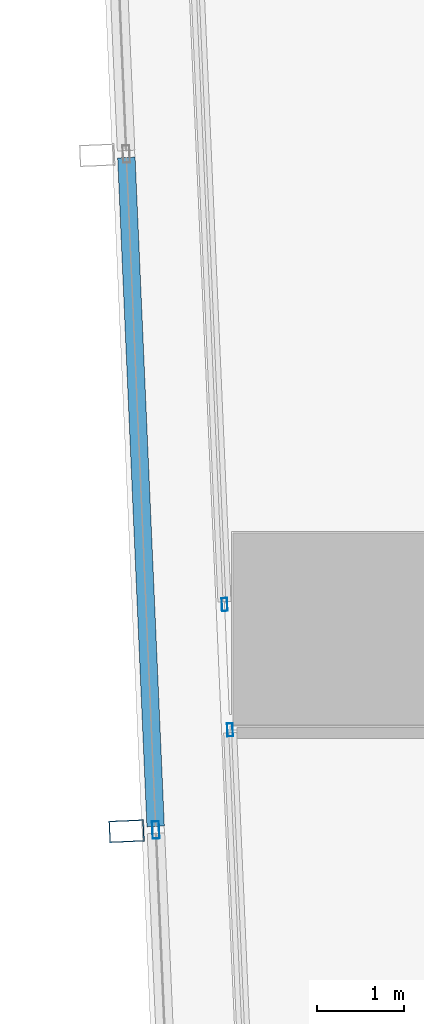
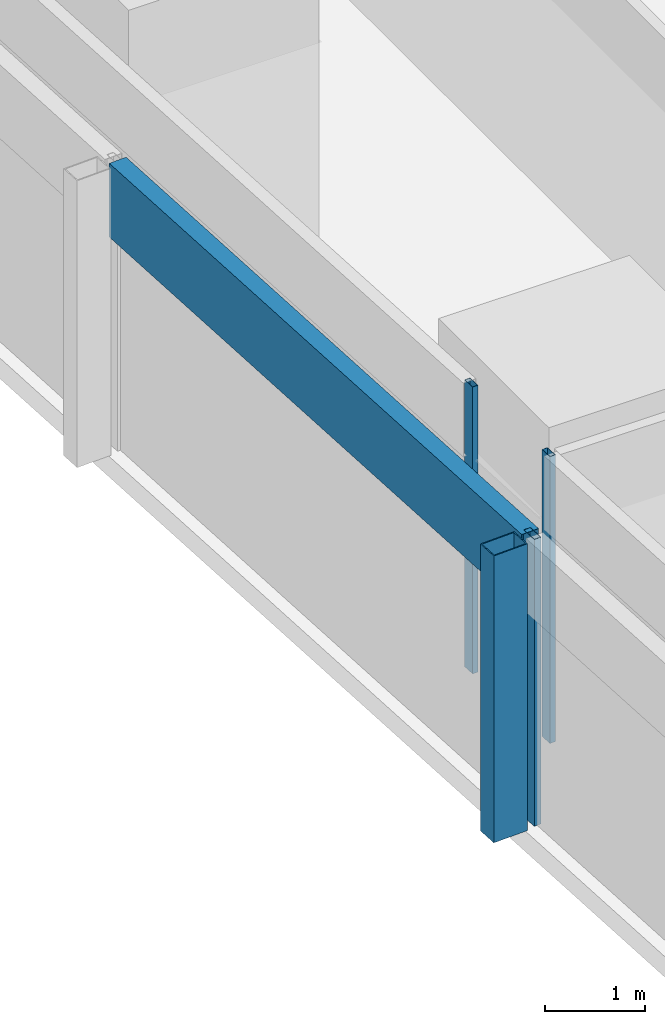
# One storey, part 4 of 45: 5 members, 3 elements without a shape of their own.
"""IFC4 building model written with IfcOpenShell, lengths in metres."""

from ifc_helpers import new_model, si_unit, direction, frame, origin, origin_2d, place, context, subcontext, project, spatial, hollow_rectangle, extrude, material, material_profile, profile_set, type_object, element, aggregate, save


model = new_model("IFC4")

# Units and contexts
model_context = context("Model", 3, precision=1e-05, world=origin(), true_north=direction((0.0, 1.0)))
body_context = subcontext(model_context, "Body", "Model", "MODEL_VIEW")
ifc_project = project(units=[si_unit("LENGTHUNIT", "METRE"), si_unit("AREAUNIT", "SQUARE_METRE"), si_unit("VOLUMEUNIT", "CUBIC_METRE"), si_unit("PLANEANGLEUNIT", "RADIAN"), si_unit("MASSUNIT", "GRAM", prefix="KILO")], contexts=[model_context])

# Site, building, storey
site_placement = place(None, origin())
site = spatial("IfcSite", under=ifc_project, at=site_placement, CompositionType="ELEMENT")
building_placement = place(site_placement, origin())
building = spatial("IfcBuilding", under=site, at=building_placement, Name="Rekha Terrace Tower", CompositionType="ELEMENT")
storey_placement = place(building_placement, frame((0.0, 0.0, 32.89990234375)))
storey = spatial("IfcBuildingStorey", under=building, at=storey_placement, Name="L07", CompositionType="ELEMENT", Elevation=32.89990234375)

# Curtain wall, member
ifc_material_1 = material(Name="Aluminium framing", Category="aluminium")
curtain_wall_type_1 = type_object("IfcCurtainWallType", Name="CW2 double skin outer glazing", PredefinedType="USERDEFINED", material=ifc_material_1)
curtain_wall_1_placement = place(storey_placement, origin())
curtain_wall_1 = element("IfcCurtainWall", 1, at=curtain_wall_1_placement, inside=storey, type_object=curtain_wall_type_1, Name="CW2 double skin outer glazing", ObjectType="DOUBLE SKIN OUTER GLAZING", PredefinedType="USERDEFINED")
ifc_material_2 = material(Name="Steel S355 with fluorocarbon finish", Category="steel")
ifc_material_profile_1 = material_profile(ifc_material_2, hollow_rectangle(XDim=0.25, YDim=0.39990234375, WallThickness=0.012451171875, at=origin_2d()), Name="RHS400x250x12.5")
ifc_profile_set_1 = profile_set([ifc_material_profile_1], Name="Steel S355 with fluorocarbon finish")
member_type_1 = type_object("IfcMemberType", Name="BL1 facade blade RHS 400 x 250", PredefinedType="USERDEFINED", material=ifc_profile_set_1)
member_1_placement = place(storey_placement, frame((6.080078125, 14.482421875, 0.0), z_axis=(0.0, 0.0, 1.0), x_axis=(0.04368215933, -0.999045478923, 0.0)))
member_1 = element("IfcMember", 2, at=member_1_placement, type_object=member_type_1, Name="Facade blade", ObjectType="FACADE BLADE", PredefinedType="USERDEFINED", context=body_context, shape_type="SweptSolid", body=[
    extrude(hollow_rectangle(XDim=0.25, YDim=0.39990234375, WallThickness=0.012451171875, at=origin_2d()), origin(), (0.0, 0.0, 1.0), 3.5),
])

curtain_wall_type_2 = type_object("IfcCurtainWallType", Name="CW1 double skin inner glazing", PredefinedType="USERDEFINED", material=ifc_material_1)
curtain_wall_2_placement = place(storey_placement, origin())
curtain_wall_2 = element("IfcCurtainWall", 3, at=curtain_wall_2_placement, inside=storey, type_object=curtain_wall_type_2, Name="CW1 double skin inner glazing", ObjectType="DOUBLE SKIN INNER GLAZING", PredefinedType="USERDEFINED")
ifc_material_3 = material(Name="Aluminium mullion section", Category="aluminium")
ifc_material_profile_2 = material_profile(ifc_material_3, hollow_rectangle(XDim=0.06494140625, YDim=0.14990234375, WallThickness=0.00390625, at=origin_2d()), Name="AL RHS 65x150")
ifc_profile_set_2 = profile_set([ifc_material_profile_2], Name="Aluminium mullion section")
member_type_2 = type_object("IfcMemberType", Name="CW1 mullion RHS 65 x 150", PredefinedType="MULLION", material=ifc_profile_set_2)
member_2_placement = place(storey_placement, frame((7.202880859375, 17.07958984375, 0.0), z_axis=(0.0, 0.0, 1.0), x_axis=(0.999045462133, 0.043682543337, 0.0)))
member_2 = element("IfcMember", 4, at=member_2_placement, type_object=member_type_2, Name="CW1 mullion 4", PredefinedType="MULLION", context=body_context, shape_type="SweptSolid", body=[
    extrude(hollow_rectangle(XDim=0.06494140625, YDim=0.14990234375, WallThickness=0.00390625, at=origin_2d()), origin(), (0.0, 0.0, 1.0), 3.5),
])
aggregate(curtain_wall_2, [member_2])

curtain_wall_3_placement = place(storey_placement, origin())
curtain_wall_3 = element("IfcCurtainWall", 5, at=curtain_wall_3_placement, inside=storey, type_object=curtain_wall_type_2, Name="CW1 double skin inner glazing", ObjectType="DOUBLE SKIN INNER GLAZING", PredefinedType="USERDEFINED")
member_3_placement = place(storey_placement, frame((7.265625, 15.643310546875, 0.0), z_axis=(0.0, 0.0, 1.0), x_axis=(0.999045462129, 0.043682543424, 0.0)))
member_3 = element("IfcMember", 6, at=member_3_placement, type_object=member_type_2, Name="CW1 mullion 1", PredefinedType="MULLION", context=body_context, shape_type="SweptSolid", body=[
    extrude(hollow_rectangle(XDim=0.06494140625, YDim=0.14990234375, WallThickness=0.00390625, at=origin_2d()), origin(), (0.0, 0.0, 1.0), 3.5),
])
aggregate(curtain_wall_3, [member_3])

# Member
ifc_material_profile_3 = material_profile(ifc_material_3, hollow_rectangle(XDim=0.080078125, YDim=0.199951171875, WallThickness=0.00390625, at=origin_2d()), Name="AL RHS 80x200")
ifc_profile_set_3 = profile_set([ifc_material_profile_3], Name="Aluminium mullion section")
member_type_3 = type_object("IfcMemberType", Name="CW2 mullion RHS 80 x 200", PredefinedType="MULLION", material=ifc_profile_set_3)
member_4_placement = place(storey_placement, frame((6.414794921875, 14.4970703125, 0.0), z_axis=(0.0, 0.0, 1.0), x_axis=(0.999045462131, 0.043682543372, 0.0)))
member_4 = element("IfcMember", 7, at=member_4_placement, type_object=member_type_3, Name="CW2 mullion 5", PredefinedType="MULLION", context=body_context, shape_type="SweptSolid", body=[
    extrude(hollow_rectangle(XDim=0.080078125, YDim=0.199951171875, WallThickness=0.00390625, at=origin_2d()), origin(), (0.0, 0.0, 1.0), 3.5),
])

ifc_material_4 = material(Name="Insulated aluminium spandrel box", Category="aluminium")
ifc_material_profile_4 = material_profile(ifc_material_4, hollow_rectangle(XDim=0.199951171875, YDim=0.89990234375, WallThickness=0.0029296875, at=origin_2d()), Name="AL SPANDREL BOX 200x900")
ifc_profile_set_4 = profile_set([ifc_material_profile_4], Name="Insulated aluminium spandrel box")
member_type_4 = type_object("IfcMemberType", Name="CW2 spandrel transom 200 x 900", PredefinedType="USERDEFINED", material=ifc_profile_set_4)
member_5_placement = place(storey_placement, frame((6.077880859375, 22.201416015625, 3.050048828125), z_axis=(0.043694095051, -0.999044956975, 0.0), x_axis=(0.999044956975, 0.043694095051, 0.0)))
member_5 = element("IfcMember", 8, at=member_5_placement, type_object=member_type_4, Name="CW2 spandrel transom 4", ObjectType="TRANSOM", PredefinedType="USERDEFINED", context=body_context, shape_type="SweptSolid", body=[
    extrude(hollow_rectangle(XDim=0.199951171875, YDim=0.89990234375, WallThickness=0.0029296875, at=origin_2d()), origin(), (0.0, 0.0, 1.0), 7.671630859375),
])

aggregate(curtain_wall_1, [member_4, member_5, member_1])

save(model, "model.ifc")
